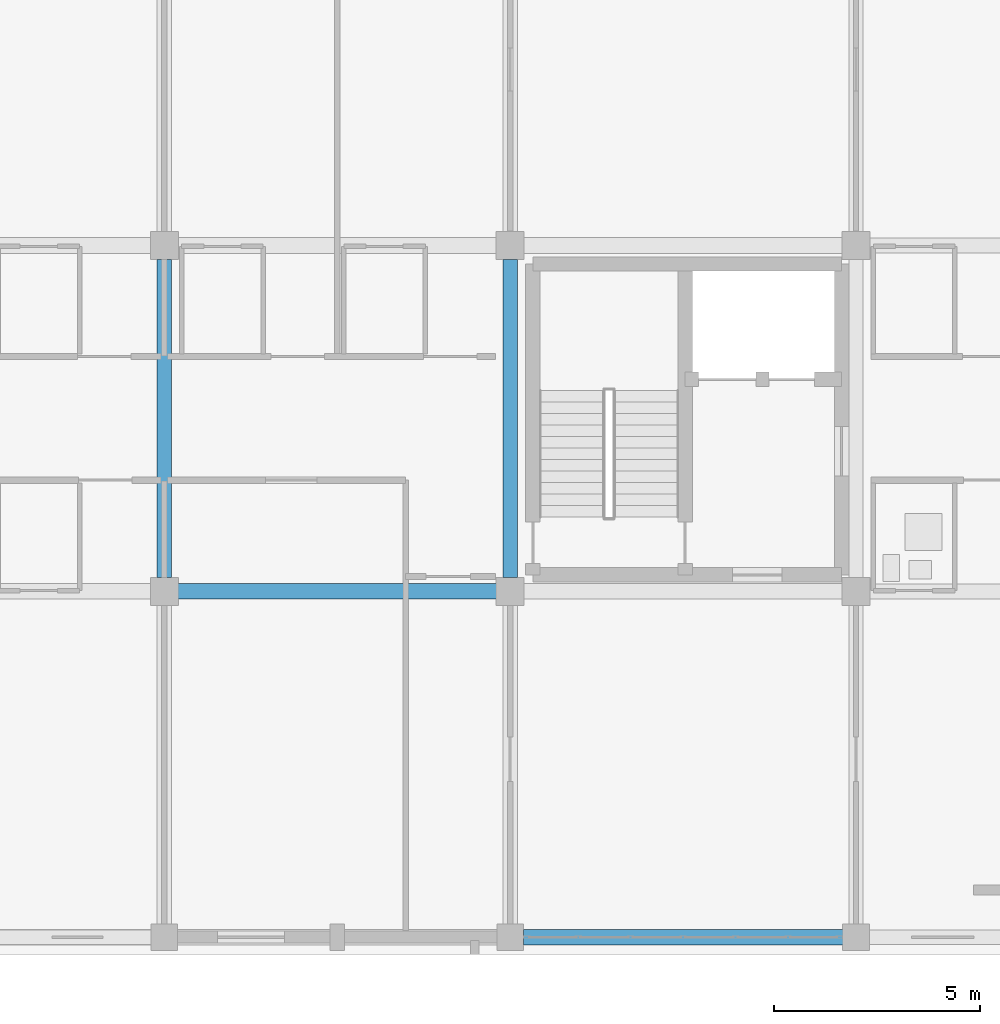
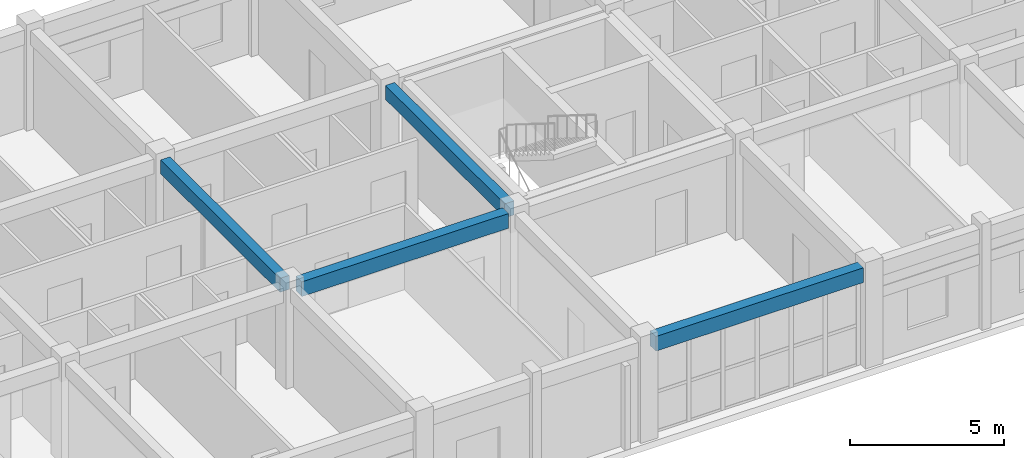
# One storey, part 22 of 90: 4 beams.
"""IFC4 building model written with IfcOpenShell, lengths in metres."""

from ifc_helpers import new_model, si_unit, direction, frame, origin, origin_2d, place, context, subcontext, project, spatial, rectangle, extrude, material, material_profile, profile_set, type_object, element, save


model = new_model("IFC4")

# Units and contexts
model_context = context("Model", 3, precision=1e-05, world=origin(), true_north=direction((0.0, 1.0)))
body_context = subcontext(model_context, "Body", "Model", "MODEL_VIEW")
ifc_project = project(units=[si_unit("LENGTHUNIT", "METRE"), si_unit("AREAUNIT", "SQUARE_METRE"), si_unit("VOLUMEUNIT", "CUBIC_METRE"), si_unit("PLANEANGLEUNIT", "RADIAN"), si_unit("MASSUNIT", "GRAM", prefix="KILO")], contexts=[model_context])

# Site, building, storey
site_placement = place(None, origin())
site = spatial("IfcSite", under=ifc_project, at=site_placement, CompositionType="ELEMENT")
building_placement = place(site_placement, origin())
building = spatial("IfcBuilding", under=site, at=building_placement, Name="Trelvath General Hospital", CompositionType="ELEMENT")
storey_placement = place(building_placement, frame((0.0, 0.0, 20.39990234375)))
storey = spatial("IfcBuildingStorey", under=building, at=storey_placement, Name="L05", CompositionType="ELEMENT", Elevation=20.39990234375)

# Beams
ifc_material_1 = material(Name="Concrete C35/45", Category="concrete")
ifc_material_profile_1 = material_profile(ifc_material_1, rectangle(XDim=0.35009765625, YDim=0.550048828125, at=origin_2d()), Name="RCB350x550")
ifc_profile_set_1 = profile_set([ifc_material_profile_1], Name="Concrete C35/45")
beam_type_1 = type_object("IfcBeamType", Name="Beam RC350x550", PredefinedType="BEAM", material=ifc_profile_set_1)
for number, where, z_axis, x_axis, name in (
    (1, (84.0, 8.735107421875, 3.64501953125), (0.0, 1.0, 0.0), (-1.0, 0.0, 0.0), "Grid Beam BY-510B"),
    (2, (92.39990234375, 8.735107421875, 3.64501953125), (0.0, 1.0, 0.0), (-1.0, 0.0, 0.0), "Grid Beam BY-511B"),
):
    element("IfcBeam", number, at=place(storey_placement, frame(where, z_axis=z_axis, x_axis=x_axis)), inside=storey, type_object=beam_type_1, Name=name, PredefinedType="BEAM", context=body_context, shape_type="SweptSolid", body=[
        extrude(rectangle(XDim=0.35009765625, YDim=0.550048828125, at=origin_2d()), origin(), (0.0, 0.0, 1.0), 7.72998046875),
    ])
ifc_material_2 = material(Name="Concrete C35/45", Category="concrete")
ifc_material_profile_2 = material_profile(ifc_material_2, rectangle(XDim=0.3798828125, YDim=0.580078125, at=origin_2d()), Name="RCB380x580")
ifc_profile_set_2 = profile_set([ifc_material_profile_2], Name="Concrete C35/45")
beam_type_2 = type_object("IfcBeamType", Name="Beam RC380x580", PredefinedType="BEAM", material=ifc_profile_set_2)
beam_1_placement = place(storey_placement, frame((84.3349609375, 8.39990234375, 3.630126953125), z_axis=(1.0, 0.0, 0.0), x_axis=(0.0, 1.0, 0.0)))
element("IfcBeam", 3, at=beam_1_placement, inside=storey, type_object=beam_type_2, Name="Grid Beam BX-510B", PredefinedType="BEAM", context=body_context, shape_type="SweptSolid", body=[
    extrude(rectangle(XDim=0.3798828125, YDim=0.580078125, at=origin_2d()), origin(), (0.0, 0.0, 1.0), 7.72998046875),
])
beam_2_placement = place(storey_placement, frame((92.719970703125, 0.0, 3.630126953125), z_axis=(1.0, 0.0, 0.0), x_axis=(0.0, 1.0, 0.0)))
element("IfcBeam", 4, at=beam_2_placement, inside=storey, type_object=beam_type_2, Name="Grid Beam BX-511A", PredefinedType="BEAM", context=body_context, shape_type="SweptSolid", body=[
    extrude(rectangle(XDim=0.3798828125, YDim=0.580078125, at=origin_2d()), origin(), (0.0, 0.0, 1.0), 7.760009765625),
])

save(model, "model.ifc")
